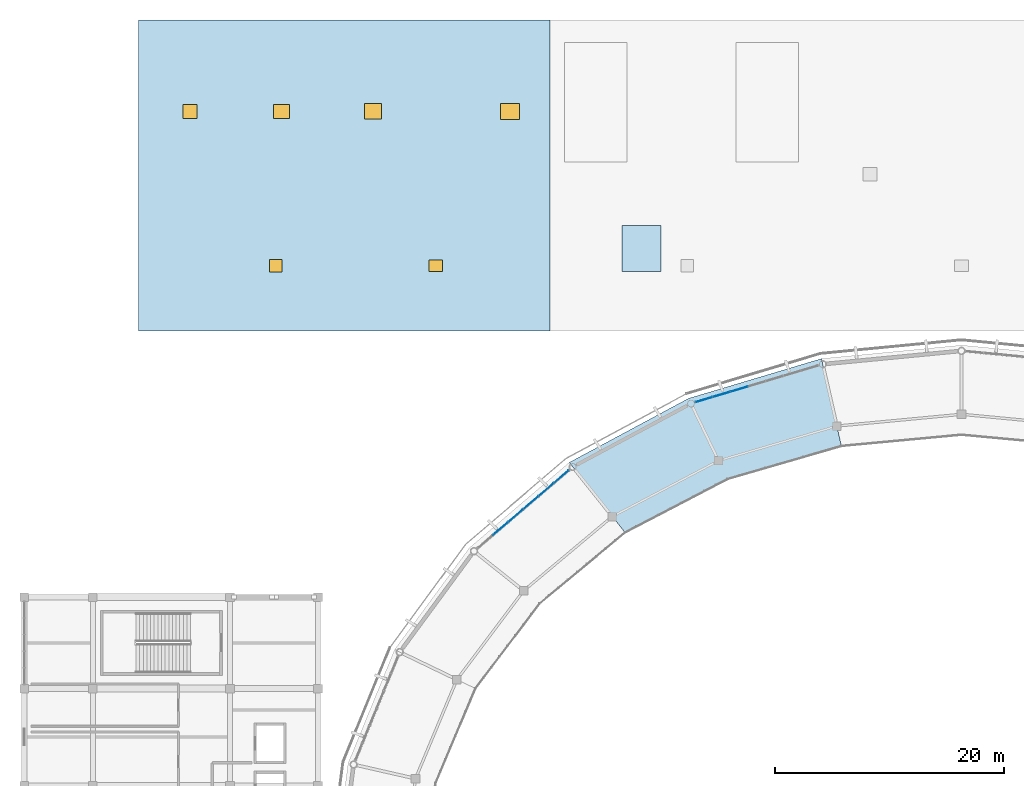
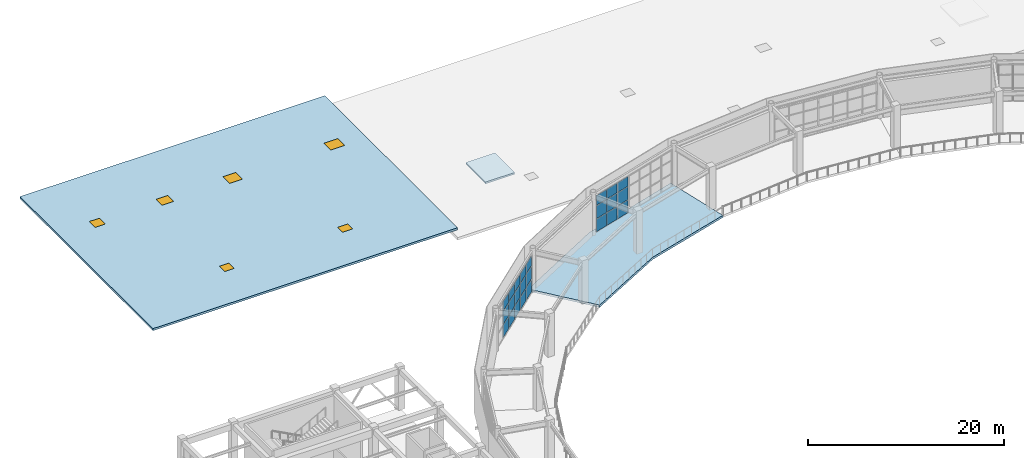
# One storey, part 44 of 70: 24 plates, 4 windows, 3 slabs, 2 doors, 6 openings, 2 elements without a shape of their own.
"""IFC4 building model written with IfcOpenShell, lengths in metres."""

from ifc_helpers import new_model, si_unit, direction, frame, origin, origin_2d, place, context, subcontext, project, spatial, polyline, rectangle, outline, extrude, material, layer, layer_set, type_object, element, fill, aggregate, save


model = new_model("IFC4")

# Units and contexts
model_context = context("Model", 3, precision=1e-05, world=origin(), true_north=direction((0.0, 1.0)))
body_context = subcontext(model_context, "Body", "Model", "MODEL_VIEW")
ifc_project = project(units=[si_unit("LENGTHUNIT", "METRE"), si_unit("AREAUNIT", "SQUARE_METRE"), si_unit("VOLUMEUNIT", "CUBIC_METRE"), si_unit("PLANEANGLEUNIT", "RADIAN"), si_unit("MASSUNIT", "GRAM", prefix="KILO")], contexts=[model_context])

# Site, building, storey
site_placement = place(None, origin())
site = spatial("IfcSite", under=ifc_project, at=site_placement, CompositionType="ELEMENT")
building_placement = place(site_placement, origin())
building = spatial("IfcBuilding", under=site, at=building_placement, Name="Cuetzalor Civic Arena", CompositionType="ELEMENT")
storey_placement = place(building_placement, frame((0.0, 0.0, 21.0)))
storey = spatial("IfcBuildingStorey", under=building, at=storey_placement, Name="L04", CompositionType="ELEMENT", Elevation=21.0)

# Curtain wall, plates
ifc_material_1 = material(Name="Anodised dark bronze aluminium and low-E solar glass", Category="aluminium")
curtain_wall_type_1 = type_object("IfcCurtainWallType", Name="UnitisedCW_11300x4650", PredefinedType="USERDEFINED", material=ifc_material_1)
curtain_wall_1_placement = place(storey_placement, origin())
curtain_wall_1 = element("IfcCurtainWall", 1, at=curtain_wall_1_placement, inside=storey, type_object=curtain_wall_type_1, Name="Drum Triangle Foyer Curtain Wall L04-060", ObjectType="UNITISED CURTAIN WALL", PredefinedType="USERDEFINED")
ifc_material_2 = material(Name="Acoustic laminated solar control glass", Category="glass")
ifc_layer_1 = layer(ifc_material_2, 0.0439453125)
ifc_layer_set_1 = layer_set([ifc_layer_1], Name="Acoustic laminated solar control glass")
plate_type = type_object("IfcPlateType", Name="AcousticTripleGlazedPanel_44", PredefinedType="CURTAIN_PANEL", material=ifc_layer_set_1)
plate_1_placement = place(storey_placement, frame((-22.53125, 42.279541015625, 0.06982421875), z_axis=(0.0, 0.0, 1.0), x_axis=(0.958193690548, 0.286120344251, 0.0)))
plate_1 = element("IfcPlate", 2, at=plate_1_placement, type_object=plate_type, Name="CW-09 panel 1.1", PredefinedType="CURTAIN_PANEL", context=body_context, shape_type="SweptSolid", body=[
    extrude(rectangle(XDim=1.5107421875, YDim=0.0439453125, at=origin_2d()), origin(), (0.0, 0.0, 1.0), 1.570068359375),
])
plate_2_placement = place(storey_placement, frame((-22.53125, 42.279541015625, 1.7099609375), z_axis=(0.0, 0.0, 1.0), x_axis=(0.958193690548, 0.286120344251, 0.0)))
plate_2 = element("IfcPlate", 3, at=plate_2_placement, type_object=plate_type, Name="CW-09 panel 1.2", PredefinedType="CURTAIN_PANEL", context=body_context, shape_type="SweptSolid", body=[
    extrude(rectangle(XDim=1.5107421875, YDim=0.0439453125, at=origin_2d()), origin(), (0.0, 0.0, 1.0), 1.60498046875),
])
plate_3_placement = place(storey_placement, frame((-22.53125, 42.279541015625, 3.384765625), z_axis=(0.0, 0.0, 1.0), x_axis=(0.958193690548, 0.286120344251, 0.0)))
plate_3 = element("IfcPlate", 4, at=plate_3_placement, type_object=plate_type, Name="CW-09 panel 1.3", PredefinedType="CURTAIN_PANEL", context=body_context, shape_type="SweptSolid", body=[
    extrude(rectangle(XDim=1.5107421875, YDim=0.0439453125, at=origin_2d()), origin(), (0.0, 0.0, 1.0), 1.197998046875),
])
plate_4_placement = place(storey_placement, frame((-20.999755859375, 42.73681640625, 0.06982421875), z_axis=(0.0, 0.0, 1.0), x_axis=(0.958193690548, 0.286120344251, 0.0)))
plate_4 = element("IfcPlate", 5, at=plate_4_placement, type_object=plate_type, Name="CW-09 panel 2.1", PredefinedType="CURTAIN_PANEL", context=body_context, shape_type="SweptSolid", body=[
    extrude(rectangle(XDim=1.545654296875, YDim=0.0439453125, at=origin_2d()), origin(), (0.0, 0.0, 1.0), 1.570068359375),
])
plate_5_placement = place(storey_placement, frame((-20.999755859375, 42.73681640625, 1.7099609375), z_axis=(0.0, 0.0, 1.0), x_axis=(0.958193690548, 0.286120344251, 0.0)))
plate_5 = element("IfcPlate", 6, at=plate_5_placement, type_object=plate_type, Name="CW-09 panel 2.2", PredefinedType="CURTAIN_PANEL", context=body_context, shape_type="SweptSolid", body=[
    extrude(rectangle(XDim=1.545654296875, YDim=0.0439453125, at=origin_2d()), origin(), (0.0, 0.0, 1.0), 1.60498046875),
])
plate_6_placement = place(storey_placement, frame((-20.999755859375, 42.73681640625, 3.384765625), z_axis=(0.0, 0.0, 1.0), x_axis=(0.958193690548, 0.286120344251, 0.0)))
plate_6 = element("IfcPlate", 7, at=plate_6_placement, type_object=plate_type, Name="CW-09 panel 2.3", PredefinedType="CURTAIN_PANEL", context=body_context, shape_type="SweptSolid", body=[
    extrude(rectangle(XDim=1.545654296875, YDim=0.0439453125, at=origin_2d()), origin(), (0.0, 0.0, 1.0), 1.197998046875),
])
plate_7_placement = place(storey_placement, frame((-19.45166015625, 43.19921875, 0.06982421875), z_axis=(0.0, 0.0, 1.0), x_axis=(0.958193690548, 0.286120344251, 0.0)))
plate_7 = element("IfcPlate", 8, at=plate_7_placement, type_object=plate_type, Name="CW-09 panel 3.1", PredefinedType="CURTAIN_PANEL", context=body_context, shape_type="SweptSolid", body=[
    extrude(rectangle(XDim=1.545654296875, YDim=0.0439453125, at=origin_2d()), origin(), (0.0, 0.0, 1.0), 1.570068359375),
])
plate_8_placement = place(storey_placement, frame((-19.45166015625, 43.19921875, 1.7099609375), z_axis=(0.0, 0.0, 1.0), x_axis=(0.958193690548, 0.286120344251, 0.0)))
plate_8 = element("IfcPlate", 9, at=plate_8_placement, type_object=plate_type, Name="CW-09 panel 3.2", PredefinedType="CURTAIN_PANEL", context=body_context, shape_type="SweptSolid", body=[
    extrude(rectangle(XDim=1.545654296875, YDim=0.0439453125, at=origin_2d()), origin(), (0.0, 0.0, 1.0), 1.60498046875),
])
plate_9_placement = place(storey_placement, frame((-19.45166015625, 43.19921875, 3.384765625), z_axis=(0.0, 0.0, 1.0), x_axis=(0.958193690548, 0.286120344251, 0.0)))
plate_9 = element("IfcPlate", 10, at=plate_9_placement, type_object=plate_type, Name="CW-09 panel 3.3", PredefinedType="CURTAIN_PANEL", context=body_context, shape_type="SweptSolid", body=[
    extrude(rectangle(XDim=1.545654296875, YDim=0.0439453125, at=origin_2d()), origin(), (0.0, 0.0, 1.0), 1.197998046875),
])
aggregate(curtain_wall_1, [plate_1, plate_2, plate_3, plate_4, plate_5, plate_6, plate_7, plate_8, plate_9])

ifc_material_3 = material(Name="Anodised dark bronze aluminium and low-E solar glass", Category="aluminium")
curtain_wall_type_2 = type_object("IfcCurtainWallType", Name="UnitisedCW_10550x4650", PredefinedType="USERDEFINED", material=ifc_material_3)
curtain_wall_2_placement = place(storey_placement, origin())
curtain_wall_2 = element("IfcCurtainWall", 11, at=curtain_wall_2_placement, inside=storey, type_object=curtain_wall_type_2, Name="Drum Triangle Foyer Curtain Wall L04-061", ObjectType="UNITISED CURTAIN WALL", PredefinedType="USERDEFINED")
plate_10_placement = place(storey_placement, frame((-40.332763671875, 31.0, 0.06982421875), z_axis=(0.0, 0.0, 1.0), x_axis=(0.760677142663, 0.64913040649, 0.0)))
plate_10 = element("IfcPlate", 12, at=plate_10_placement, type_object=plate_type, Name="CW-10 panel 2.1", PredefinedType="CURTAIN_PANEL", context=body_context, shape_type="SweptSolid", body=[
    extrude(rectangle(XDim=1.68505859375, YDim=0.0439453125, at=origin_2d()), origin(), (0.0, 0.0, 1.0), 1.570068359375),
])
plate_11_placement = place(storey_placement, frame((-40.332763671875, 31.0, 1.7099609375), z_axis=(0.0, 0.0, 1.0), x_axis=(0.760677142663, 0.64913040649, 0.0)))
plate_11 = element("IfcPlate", 13, at=plate_11_placement, type_object=plate_type, Name="CW-10 panel 2.2", PredefinedType="CURTAIN_PANEL", context=body_context, shape_type="SweptSolid", body=[
    extrude(rectangle(XDim=1.68505859375, YDim=0.0439453125, at=origin_2d()), origin(), (0.0, 0.0, 1.0), 1.60498046875),
])
plate_12_placement = place(storey_placement, frame((-40.332763671875, 31.0, 3.384765625), z_axis=(0.0, 0.0, 1.0), x_axis=(0.760677142663, 0.64913040649, 0.0)))
plate_12 = element("IfcPlate", 14, at=plate_12_placement, type_object=plate_type, Name="CW-10 panel 2.3", PredefinedType="CURTAIN_PANEL", context=body_context, shape_type="SweptSolid", body=[
    extrude(rectangle(XDim=1.68505859375, YDim=0.0439453125, at=origin_2d()), origin(), (0.0, 0.0, 1.0), 1.197998046875),
])
plate_13_placement = place(storey_placement, frame((-38.997802734375, 32.13916015625, 0.06982421875), z_axis=(0.0, 0.0, 1.0), x_axis=(0.760677142663, 0.64913040649, 0.0)))
plate_13 = element("IfcPlate", 15, at=plate_13_placement, type_object=plate_type, Name="CW-10 panel 3.1", PredefinedType="CURTAIN_PANEL", context=body_context, shape_type="SweptSolid", body=[
    extrude(rectangle(XDim=1.68505859375, YDim=0.0439453125, at=origin_2d()), origin(), (0.0, 0.0, 1.0), 1.570068359375),
])
plate_14_placement = place(storey_placement, frame((-38.997802734375, 32.13916015625, 1.7099609375), z_axis=(0.0, 0.0, 1.0), x_axis=(0.760677142663, 0.64913040649, 0.0)))
plate_14 = element("IfcPlate", 16, at=plate_14_placement, type_object=plate_type, Name="CW-10 panel 3.2", PredefinedType="CURTAIN_PANEL", context=body_context, shape_type="SweptSolid", body=[
    extrude(rectangle(XDim=1.68505859375, YDim=0.0439453125, at=origin_2d()), origin(), (0.0, 0.0, 1.0), 1.60498046875),
])
plate_15_placement = place(storey_placement, frame((-38.997802734375, 32.13916015625, 3.384765625), z_axis=(0.0, 0.0, 1.0), x_axis=(0.760677142663, 0.64913040649, 0.0)))
plate_15 = element("IfcPlate", 17, at=plate_15_placement, type_object=plate_type, Name="CW-10 panel 3.3", PredefinedType="CURTAIN_PANEL", context=body_context, shape_type="SweptSolid", body=[
    extrude(rectangle(XDim=1.68505859375, YDim=0.0439453125, at=origin_2d()), origin(), (0.0, 0.0, 1.0), 1.197998046875),
])
plate_16_placement = place(storey_placement, frame((-37.66259765625, 33.278564453125, 0.06982421875), z_axis=(0.0, 0.0, 1.0), x_axis=(0.760677142663, 0.64913040649, 0.0)))
plate_16 = element("IfcPlate", 18, at=plate_16_placement, type_object=plate_type, Name="CW-10 panel 4.1", PredefinedType="CURTAIN_PANEL", context=body_context, shape_type="SweptSolid", body=[
    extrude(rectangle(XDim=1.68505859375, YDim=0.0439453125, at=origin_2d()), origin(), (0.0, 0.0, 1.0), 1.570068359375),
])
plate_17_placement = place(storey_placement, frame((-37.66259765625, 33.278564453125, 1.7099609375), z_axis=(0.0, 0.0, 1.0), x_axis=(0.760677142663, 0.64913040649, 0.0)))
plate_17 = element("IfcPlate", 19, at=plate_17_placement, type_object=plate_type, Name="CW-10 panel 4.2", PredefinedType="CURTAIN_PANEL", context=body_context, shape_type="SweptSolid", body=[
    extrude(rectangle(XDim=1.68505859375, YDim=0.0439453125, at=origin_2d()), origin(), (0.0, 0.0, 1.0), 1.60498046875),
])
plate_18_placement = place(storey_placement, frame((-37.66259765625, 33.278564453125, 3.384765625), z_axis=(0.0, 0.0, 1.0), x_axis=(0.760677142663, 0.64913040649, 0.0)))
plate_18 = element("IfcPlate", 20, at=plate_18_placement, type_object=plate_type, Name="CW-10 panel 4.3", PredefinedType="CURTAIN_PANEL", context=body_context, shape_type="SweptSolid", body=[
    extrude(rectangle(XDim=1.68505859375, YDim=0.0439453125, at=origin_2d()), origin(), (0.0, 0.0, 1.0), 1.197998046875),
])
plate_19_placement = place(storey_placement, frame((-36.327392578125, 34.41796875, 0.06982421875), z_axis=(0.0, 0.0, 1.0), x_axis=(0.760677142663, 0.64913040649, 0.0)))
plate_19 = element("IfcPlate", 21, at=plate_19_placement, type_object=plate_type, Name="CW-10 panel 5.1", PredefinedType="CURTAIN_PANEL", context=body_context, shape_type="SweptSolid", body=[
    extrude(rectangle(XDim=1.68505859375, YDim=0.0439453125, at=origin_2d()), origin(), (0.0, 0.0, 1.0), 1.570068359375),
])
plate_20_placement = place(storey_placement, frame((-36.327392578125, 34.41796875, 1.7099609375), z_axis=(0.0, 0.0, 1.0), x_axis=(0.760677142663, 0.64913040649, 0.0)))
plate_20 = element("IfcPlate", 22, at=plate_20_placement, type_object=plate_type, Name="CW-10 panel 5.2", PredefinedType="CURTAIN_PANEL", context=body_context, shape_type="SweptSolid", body=[
    extrude(rectangle(XDim=1.68505859375, YDim=0.0439453125, at=origin_2d()), origin(), (0.0, 0.0, 1.0), 1.60498046875),
])
plate_21_placement = place(storey_placement, frame((-36.327392578125, 34.41796875, 3.384765625), z_axis=(0.0, 0.0, 1.0), x_axis=(0.760677142663, 0.64913040649, 0.0)))
plate_21 = element("IfcPlate", 23, at=plate_21_placement, type_object=plate_type, Name="CW-10 panel 5.3", PredefinedType="CURTAIN_PANEL", context=body_context, shape_type="SweptSolid", body=[
    extrude(rectangle(XDim=1.68505859375, YDim=0.0439453125, at=origin_2d()), origin(), (0.0, 0.0, 1.0), 1.197998046875),
])
plate_22_placement = place(storey_placement, frame((-35.005615234375, 35.5458984375, 0.06982421875), z_axis=(0.0, 0.0, 1.0), x_axis=(0.760677142663, 0.64913040649, 0.0)))
plate_22 = element("IfcPlate", 24, at=plate_22_placement, type_object=plate_type, Name="CW-10 panel 6.1", PredefinedType="CURTAIN_PANEL", context=body_context, shape_type="SweptSolid", body=[
    extrude(rectangle(XDim=1.650146484375, YDim=0.0439453125, at=origin_2d()), origin(), (0.0, 0.0, 1.0), 1.570068359375),
])
plate_23_placement = place(storey_placement, frame((-35.005615234375, 35.5458984375, 1.7099609375), z_axis=(0.0, 0.0, 1.0), x_axis=(0.760677142663, 0.64913040649, 0.0)))
plate_23 = element("IfcPlate", 25, at=plate_23_placement, type_object=plate_type, Name="CW-10 panel 6.2", PredefinedType="CURTAIN_PANEL", context=body_context, shape_type="SweptSolid", body=[
    extrude(rectangle(XDim=1.650146484375, YDim=0.0439453125, at=origin_2d()), origin(), (0.0, 0.0, 1.0), 1.60498046875),
])
plate_24_placement = place(storey_placement, frame((-35.005615234375, 35.5458984375, 3.384765625), z_axis=(0.0, 0.0, 1.0), x_axis=(0.760677142663, 0.64913040649, 0.0)))
plate_24 = element("IfcPlate", 26, at=plate_24_placement, type_object=plate_type, Name="CW-10 panel 6.3", PredefinedType="CURTAIN_PANEL", context=body_context, shape_type="SweptSolid", body=[
    extrude(rectangle(XDim=1.650146484375, YDim=0.0439453125, at=origin_2d()), origin(), (0.0, 0.0, 1.0), 1.197998046875),
])
aggregate(curtain_wall_2, [plate_10, plate_11, plate_12, plate_13, plate_14, plate_15, plate_16, plate_17, plate_18, plate_19, plate_20, plate_21, plate_22, plate_23, plate_24])

# Slab
ifc_material_4 = material(Name="Concrete C40/50", Category="concrete")
ifc_layer_2 = layer(ifc_material_4, 0.219970703125)
ifc_layer_set_2 = layer_set([ifc_layer_2], Name="Concrete C40/50")
slab_type_1 = type_object("IfcSlabType", Name="LiftShaftRoofCapSlab_220", PredefinedType="ROOF", material=ifc_layer_set_2)
slab_1_placement = place(storey_placement, frame((0.0, 0.0, 1.39990234375)))
element("IfcSlab", 27, at=slab_1_placement, inside=storey, type_object=slab_type_1, Name="Lift Shaft Overrun Cap Slab LS-01", PredefinedType="ROOF", context=body_context, shape_type="SweptSolid", body=[
    extrude(outline(polyline([(-29.719970703125, 53.47998046875), (-26.280029296875, 53.47998046875), (-26.280029296875, 57.52001953125), (-29.719970703125, 57.52001953125), (-29.719970703125, 53.47998046875)])), origin(), (0.0, 0.0, 1.0), 0.22021484375),
])

# Slab, openings, windows, doors
ifc_material_5 = material(Name="Concrete C35/45", Category="concrete")
ifc_layer_3 = layer(ifc_material_5, 0.260009765625)
ifc_layer_set_3 = layer_set([ifc_layer_3], Name="Concrete C35/45")
slab_type_2 = type_object("IfcSlabType", Name="MonitorRoofSlab_200", PredefinedType="ROOF", material=ifc_layer_set_3)
slab_2_placement = place(storey_placement, frame((0.0, 0.0, 1.0)))
slab_2 = element("IfcSlab", 28, at=slab_2_placement, inside=storey, type_object=slab_type_2, Name="Practice Court Monitor Structural Roof Slab", PredefinedType="ROOF", context=body_context, shape_type="SweptSolid", body=[
    extrude(outline(polyline([(-72.0, 48.300048828125), (-36.0, 48.300048828125), (-36.0, 75.5), (-72.0, 75.5), (-72.0, 48.300048828125)])), origin(), (0.0, 0.0, 1.0), 0.260009765625),
])
opening_1_placement = place(slab_2_placement, frame((-67.5, 67.5, 0.0)))
opening_1 = element("IfcOpeningElement", 29, at=opening_1_placement, cuts=slab_2, Name="Opening SK-01", PredefinedType="OPENING", context=body_context, shape_type="SweptSolid", body=[
    extrude(rectangle(XDim=1.199951171875, YDim=1.199951171875, at=origin_2d()), origin(), (0.0, 0.0, 1.0), 0.260009765625),
])
opening_2_placement = place(slab_2_placement, frame((-59.5, 67.5, 0.0)))
opening_2 = element("IfcOpeningElement", 30, at=opening_2_placement, cuts=slab_2, Name="Opening SK-02", PredefinedType="OPENING", context=body_context, shape_type="SweptSolid", body=[
    extrude(rectangle(XDim=1.39990234375, YDim=1.199951171875, at=origin_2d()), origin(), (0.0, 0.0, 1.0), 0.260009765625),
])
opening_3_placement = place(slab_2_placement, frame((-51.5, 67.5, 0.0)))
opening_3 = element("IfcOpeningElement", 31, at=opening_3_placement, cuts=slab_2, Name="Opening SK-03", PredefinedType="OPENING", context=body_context, shape_type="SweptSolid", body=[
    extrude(rectangle(XDim=1.5, YDim=1.35009765625, at=origin_2d()), origin(), (0.0, 0.0, 1.0), 0.260009765625),
])
opening_4_placement = place(slab_2_placement, frame((-39.5, 67.5, 0.0)))
opening_4 = element("IfcOpeningElement", 32, at=opening_4_placement, cuts=slab_2, Name="Opening SK-04", PredefinedType="OPENING", context=body_context, shape_type="SweptSolid", body=[
    extrude(rectangle(XDim=1.64990234375, YDim=1.39990234375, at=origin_2d()), origin(), (0.0, 0.0, 1.0), 0.260009765625),
])
opening_5_placement = place(slab_2_placement, frame((-60.0, 54.0, 0.0)))
opening_5 = element("IfcOpeningElement", 33, at=opening_5_placement, cuts=slab_2, Name="Opening RH-01", PredefinedType="OPENING", context=body_context, shape_type="SweptSolid", body=[
    extrude(rectangle(XDim=1.10009765625, YDim=1.10009765625, at=origin_2d()), origin(), (0.0, 0.0, 1.0), 0.260009765625),
])
opening_6_placement = place(slab_2_placement, frame((-46.0, 54.0, 0.0)))
opening_6 = element("IfcOpeningElement", 34, at=opening_6_placement, cuts=slab_2, Name="Opening RH-02", PredefinedType="OPENING", context=body_context, shape_type="SweptSolid", body=[
    extrude(rectangle(XDim=1.199951171875, YDim=1.0, at=origin_2d()), origin(), (0.0, 0.0, 1.0), 0.260009765625),
])
ifc_material_6 = material(Name="Laminated solar skylight glass in bronze frame", Category="glass")
window_type_1 = type_object("IfcWindowType", Name="DomeSmokeSkylight_1200x1200", PartitioningType="SINGLE_PANEL", PredefinedType="SKYLIGHT", material=ifc_material_6)
window_1_placement = place(opening_1_placement, frame((0.0, 0.0, 0.2099609375)))
window_1 = element("IfcWindow", 35, at=window_1_placement, inside=storey, type_object=window_type_1, Name="Monitor Smoke-Exhaust Roof Skylight 01", OverallHeight=1.199951171875, OverallWidth=1.199951171875, PartitioningType="SINGLE_PANEL", PredefinedType="SKYLIGHT", context=body_context, shape_type="SweptSolid", body=[
    extrude(rectangle(XDim=1.199951171875, YDim=1.199951171875, at=origin_2d()), origin(), (0.0, 0.0, 1.0), 0.050048828125),
])
fill(opening_1, window_1)
ifc_material_7 = material(Name="Laminated solar skylight glass in bronze frame", Category="glass")
window_type_2 = type_object("IfcWindowType", Name="DomeSmokeSkylight_1400x1200", PartitioningType="SINGLE_PANEL", PredefinedType="SKYLIGHT", material=ifc_material_7)
window_2_placement = place(opening_2_placement, frame((0.0, 0.0, 0.2099609375)))
window_2 = element("IfcWindow", 36, at=window_2_placement, inside=storey, type_object=window_type_2, Name="Monitor Smoke-Exhaust Roof Skylight 02", OverallHeight=1.199951171875, OverallWidth=1.39990234375, PartitioningType="SINGLE_PANEL", PredefinedType="SKYLIGHT", context=body_context, shape_type="SweptSolid", body=[
    extrude(rectangle(XDim=1.39990234375, YDim=1.199951171875, at=origin_2d()), origin(), (0.0, 0.0, 1.0), 0.050048828125),
])
fill(opening_2, window_2)
ifc_material_8 = material(Name="Laminated solar skylight glass in bronze frame", Category="glass")
window_type_3 = type_object("IfcWindowType", Name="DomeSmokeSkylight_1500x1350", PartitioningType="SINGLE_PANEL", PredefinedType="SKYLIGHT", material=ifc_material_8)
window_3_placement = place(opening_3_placement, frame((0.0, 0.0, 0.2099609375)))
window_3 = element("IfcWindow", 37, at=window_3_placement, inside=storey, type_object=window_type_3, Name="Monitor Smoke-Exhaust Roof Skylight 03", OverallHeight=1.35009765625, OverallWidth=1.5, PartitioningType="SINGLE_PANEL", PredefinedType="SKYLIGHT", context=body_context, shape_type="SweptSolid", body=[
    extrude(rectangle(XDim=1.5, YDim=1.35009765625, at=origin_2d()), origin(), (0.0, 0.0, 1.0), 0.050048828125),
])
fill(opening_3, window_3)
ifc_material_9 = material(Name="Laminated solar skylight glass in bronze frame", Category="glass")
window_type_4 = type_object("IfcWindowType", Name="DomeSmokeSkylight_1650x1400", PartitioningType="SINGLE_PANEL", PredefinedType="SKYLIGHT", material=ifc_material_9)
window_4_placement = place(opening_4_placement, frame((0.0, 0.0, 0.2099609375)))
window_4 = element("IfcWindow", 38, at=window_4_placement, inside=storey, type_object=window_type_4, Name="Monitor Smoke-Exhaust Roof Skylight 04", OverallHeight=1.39990234375, OverallWidth=1.64990234375, PartitioningType="SINGLE_PANEL", PredefinedType="SKYLIGHT", context=body_context, shape_type="SweptSolid", body=[
    extrude(rectangle(XDim=1.64990234375, YDim=1.39990234375, at=origin_2d()), origin(), (0.0, 0.0, 1.0), 0.050048828125),
])
fill(opening_4, window_4)
ifc_material_10 = material(Name="Thermally broken bronze steel and laminated glass", Category="steel")
door_type_1 = type_object("IfcDoorType", Name="RoofMaintenanceHatch_1100x1100", OperationType="SINGLE_SWING_LEFT", PredefinedType="TRAPDOOR", material=ifc_material_10)
door_1_placement = place(opening_5_placement, frame((0.0, 0.0, 0.2099609375)))
door_1 = element("IfcDoor", 39, at=door_1_placement, inside=storey, type_object=door_type_1, Name="Roof Maintenance Access Hatch 05", OperationType="SINGLE_SWING_LEFT", OverallHeight=1.10009765625, OverallWidth=1.10009765625, PredefinedType="TRAPDOOR", context=body_context, shape_type="SweptSolid", body=[
    extrude(rectangle(XDim=1.10009765625, YDim=1.10009765625, at=origin_2d()), origin(), (0.0, 0.0, 1.0), 0.050048828125),
])
fill(opening_5, door_1)
ifc_material_11 = material(Name="Thermally broken bronze steel and laminated glass", Category="steel")
door_type_2 = type_object("IfcDoorType", Name="RoofMaintenanceHatch_1200x1000", OperationType="SINGLE_SWING_LEFT", PredefinedType="TRAPDOOR", material=ifc_material_11)
door_2_placement = place(opening_6_placement, frame((0.0, 0.0, 0.2099609375)))
door_2 = element("IfcDoor", 40, at=door_2_placement, inside=storey, type_object=door_type_2, Name="Roof Maintenance Access Hatch 06", OperationType="SINGLE_SWING_LEFT", OverallHeight=1.0, OverallWidth=1.199951171875, PredefinedType="TRAPDOOR", context=body_context, shape_type="SweptSolid", body=[
    extrude(rectangle(XDim=1.199951171875, YDim=1.0, at=origin_2d()), origin(), (0.0, 0.0, 1.0), 0.050048828125),
])
fill(opening_6, door_2)

# Slab
ifc_material_12 = material(Name="Concrete C35/45", Category="concrete")
ifc_layer_4 = layer(ifc_material_12, 0.280029296875)
ifc_layer_set_4 = layer_set([ifc_layer_4], Name="Concrete C35/45")
slab_type_3 = type_object("IfcSlabType", Name="SuspendedFloorSlab_280", PredefinedType="FLOOR", material=ifc_layer_set_4)
slab_3_placement = place(storey_placement, frame((0.0, 0.0, -0.280029296875)))
element("IfcSlab", 41, at=slab_3_placement, inside=storey, type_object=slab_type_3, Name="Arena Concourse Sector Slab L04-05", PredefinedType="FLOOR", context=body_context, shape_type="SweptSolid", body=[
    extrude(outline(polyline([(-10.5029296875, 38.21728515625), (-20.479248046875, 35.318115234375), (-29.4287109375, 30.647705078125), (-34.322998046875, 36.78515625), (-23.88525390625, 42.390625), (-12.249755859375, 45.870361328125), (-10.5029296875, 38.21728515625)])), origin(), (0.0, 0.0, 1.0), 0.280029296875),
])

save(model, "model.ifc")
